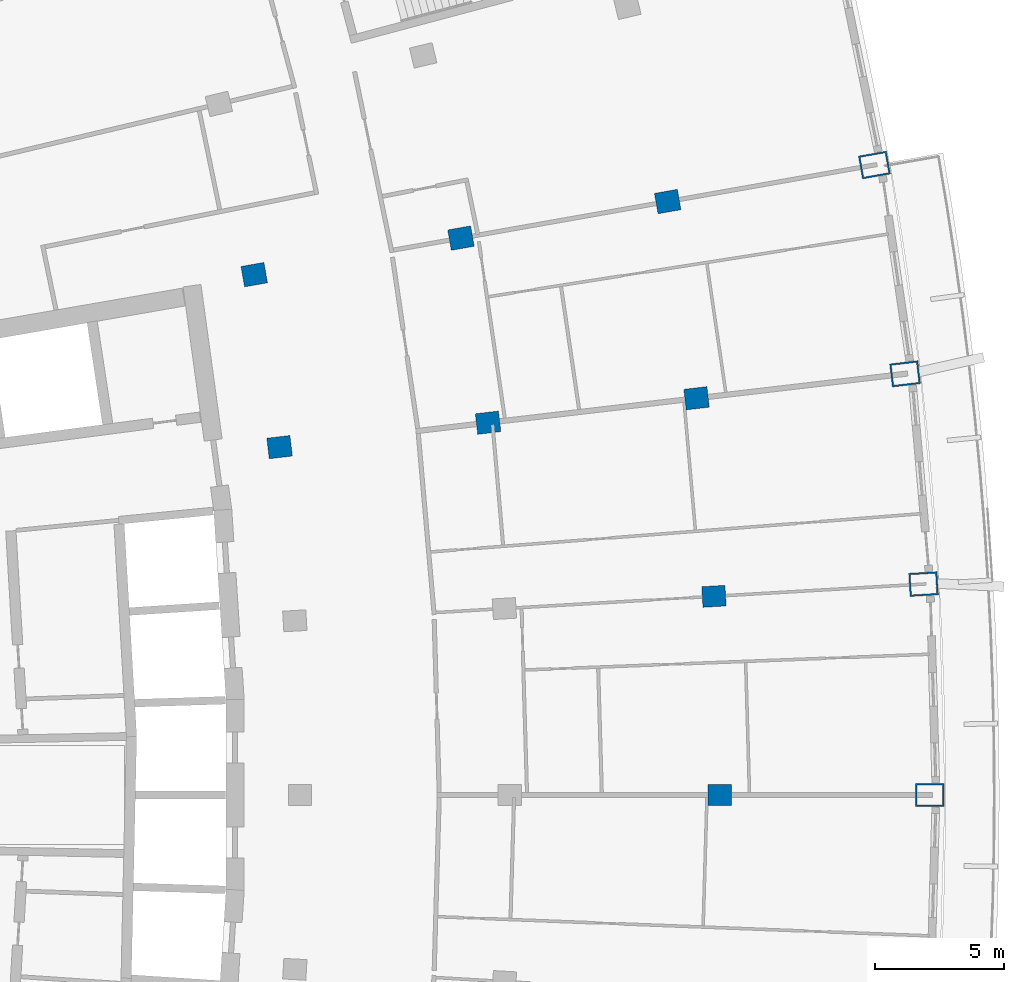
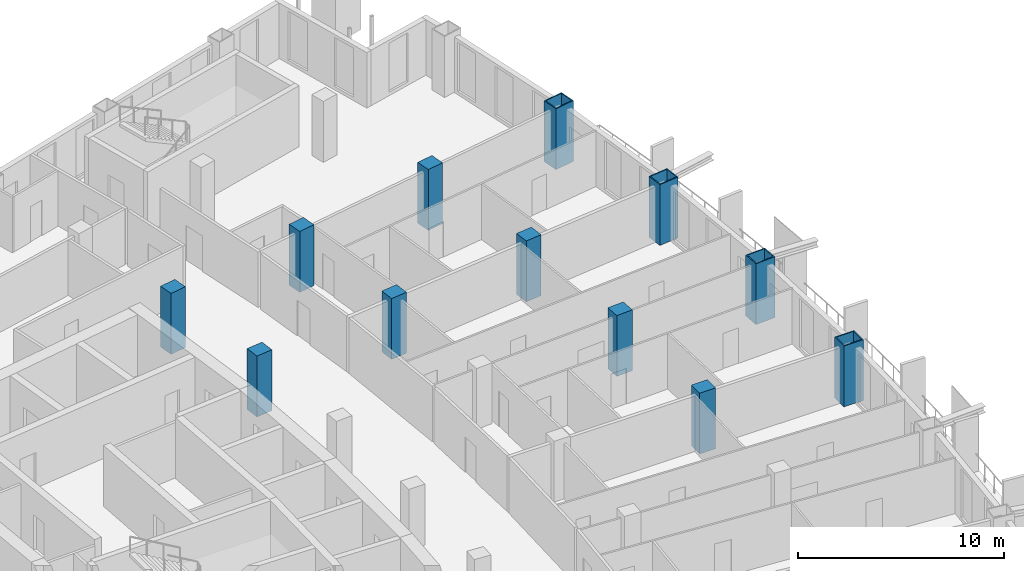
# One storey, part 6 of 20: 12 columns.
"""IFC4 building model written with IfcOpenShell, lengths in metres."""

from ifc_helpers import new_model, si_unit, direction, frame, origin, origin_2d, place, context, subcontext, project, spatial, rectangle, hollow_rectangle, extrude, material, material_profile, profile_set, type_object, element, save


model = new_model("IFC4")

# Units and contexts
model_context = context("Model", 3, precision=1e-05, world=origin(), true_north=direction((0.0, 1.0)))
body_context = subcontext(model_context, "Body", "Model", "MODEL_VIEW")
ifc_project = project(units=[si_unit("LENGTHUNIT", "METRE"), si_unit("AREAUNIT", "SQUARE_METRE"), si_unit("VOLUMEUNIT", "CUBIC_METRE"), si_unit("PLANEANGLEUNIT", "RADIAN"), si_unit("MASSUNIT", "GRAM", prefix="KILO")], contexts=[model_context])

# Site, building, storey
site_placement = place(None, origin())
site = spatial("IfcSite", under=ifc_project, at=site_placement, CompositionType="ELEMENT")
building_placement = place(site_placement, origin())
building = spatial("IfcBuilding", under=site, at=building_placement, Name="Alderwake Tower", CompositionType="ELEMENT")
storey_placement = place(building_placement, frame((0.0, 0.0, 142.39990234375)))
storey = spatial("IfcBuildingStorey", under=building, at=storey_placement, Name="L34", CompositionType="ELEMENT", Elevation=142.39990234375)

# Columns
ifc_material_1 = material(Name="Concrete C70/85", Category="concrete")
ifc_material_profile_1 = material_profile(ifc_material_1, rectangle(XDim=0.800048828125, YDim=0.89990234375, at=origin_2d()), Name="RC 900X800")
ifc_profile_set_1 = profile_set([ifc_material_profile_1], Name="Concrete C70/85")
column_type_1 = type_object("IfcColumnType", Name="Interior column Z3", PredefinedType="COLUMN", material=ifc_profile_set_1)
for number, where, z_axis, x_axis, name in (
    (1, (52.066650390625, 61.0, 0.0), (0.0, 0.0, 1.0), (0.0, 1.0, 0.0), "Column R07-C4"),
    (2, (51.842041015625, 68.699462890625, 0.0), (0.0, 0.0, 1.0), (-0.058299318924, 0.998299148258, 0.0), "Column R08-C4"),
    (3, (35.0126953125, 74.4794921875, 0.0), (0.0, 0.0, 1.0), (-0.116402054316, 0.993202175668, 0.0), "Column R09-C2"),
    (4, (43.0908203125, 75.426025390625, 0.0), (0.0, 0.0, 1.0), (-0.116402054316, 0.993202175668, 0.0), "Column R09-C3"),
    (5, (51.1689453125, 76.372802734375, 0.0), (0.0, 0.0, 1.0), (-0.116402054316, 0.993202175668, 0.0), "Column R09-C4"),
    (6, (34.03125, 81.16162109375, 0.0), (0.0, 0.0, 1.0), (-0.174108800747, 0.984726421654, 0.0), "Column R10-C2"),
    (7, (42.040283203125, 82.577880859375, 0.0), (0.0, 0.0, 1.0), (-0.174108800747, 0.984726421654, 0.0), "Column R10-C3"),
    (8, (50.049560546875, 83.993896484375, 0.0), (0.0, 0.0, 1.0), (-0.174108800747, 0.984726421654, 0.0), "Column R10-C4"),
):
    element("IfcColumn", number, at=place(storey_placement, frame(where, z_axis=z_axis, x_axis=x_axis)), inside=storey, type_object=column_type_1, Name=name, PredefinedType="COLUMN", context=body_context, shape_type="SweptSolid", body=[
        extrude(rectangle(XDim=0.800048828125, YDim=0.89990234375, at=origin_2d()), origin(), (0.0, 0.0, 1.0), 3.60009765625),
    ])
ifc_material_2 = material(Name="Steel ASTM A572 Grade 50 concrete filled C70/85", Category="concrete")
ifc_material_profile_2 = material_profile(ifc_material_2, hollow_rectangle(XDim=0.89990234375, YDim=1.10009765625, WallThickness=0.06005859375, at=origin_2d()), Name="BOX 1100X900X60")
ifc_profile_set_2 = profile_set([ifc_material_profile_2], Name="Steel ASTM A572 Grade 50 concrete filled C70/85")
column_type_2 = type_object("IfcColumnType", Name="Perimeter column Z3", PredefinedType="COLUMN", material=ifc_profile_set_2)
for number, where, z_axis, x_axis, name in (
    (9, (60.199951171875, 61.0, 0.0), (0.0, 0.0, 1.0), (0.0, 1.0, 0.0), "Column R07-C5"),
    (10, (59.96142578125, 69.173583984375, 0.0), (0.0, 0.0, 1.0), (-0.058301061284, 0.998299046505, 0.0), "Column R08-C5"),
    (11, (59.246826171875, 77.319580078125, 0.0), (0.0, 0.0, 1.0), (-0.116402054316, 0.993202175668, 0.0), "Column R09-C5"),
    (12, (58.05859375, 85.409912109375, 0.0), (0.0, 0.0, 1.0), (-0.174108800747, 0.984726421654, 0.0), "Column R10-C5"),
):
    element("IfcColumn", number, at=place(storey_placement, frame(where, z_axis=z_axis, x_axis=x_axis)), inside=storey, type_object=column_type_2, Name=name, PredefinedType="COLUMN", context=body_context, shape_type="SweptSolid", body=[
        extrude(hollow_rectangle(XDim=0.89990234375, YDim=1.10009765625, WallThickness=0.06005859375, at=origin_2d()), origin(), (0.0, 0.0, 1.0), 3.60009765625),
    ])

save(model, "model.ifc")
